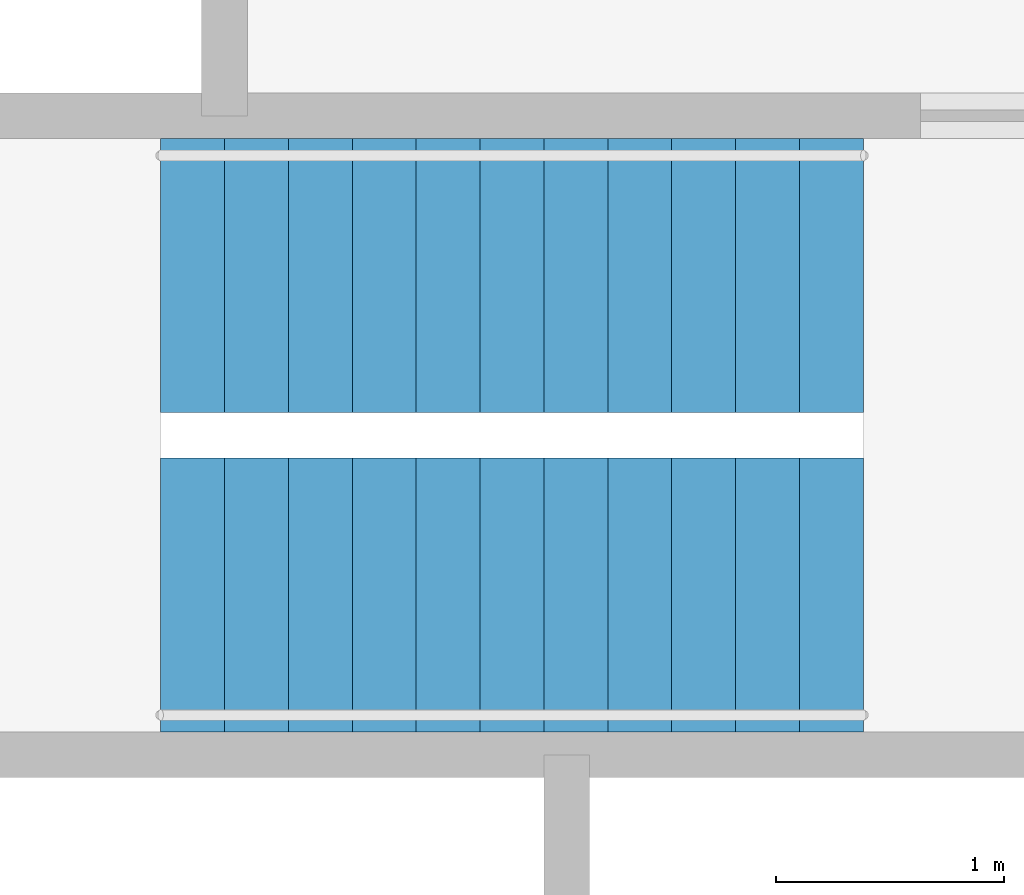
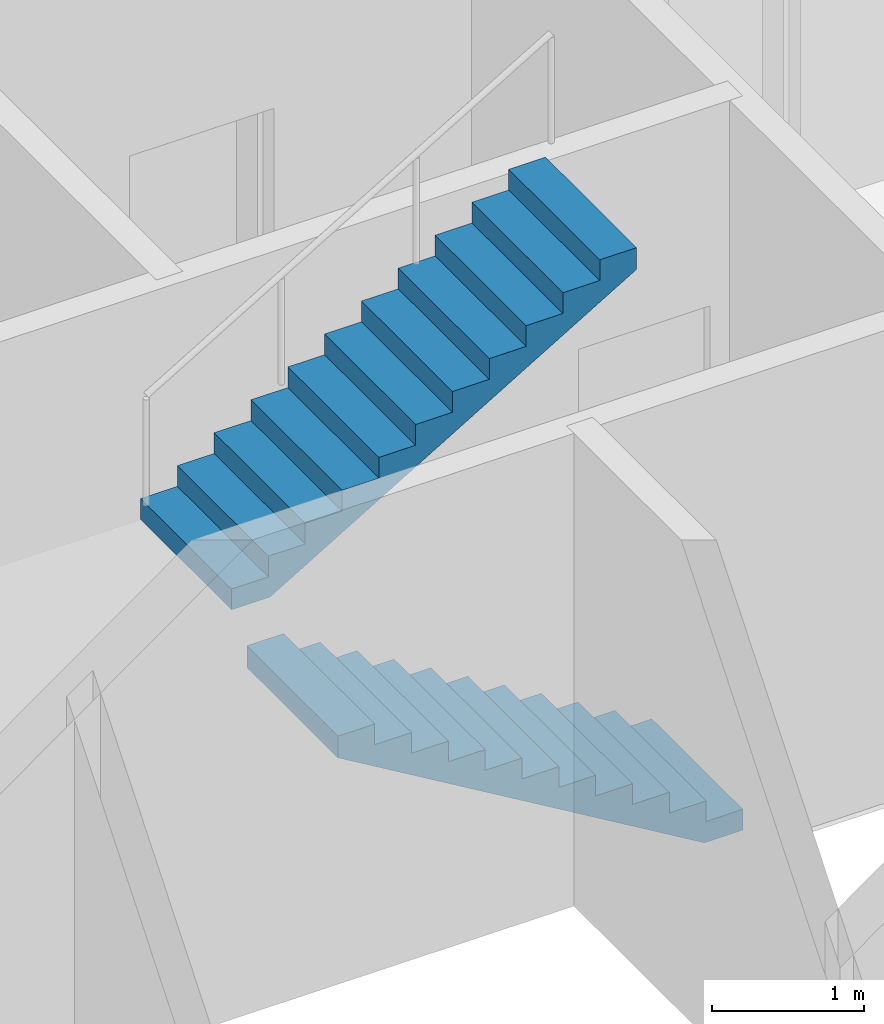
# One storey, part 12 of 14: 2 stair flights, 1 element without a shape of its own.
"""IFC4 building model written with IfcOpenShell, lengths in metres."""

from ifc_helpers import new_model, si_unit, direction, frame, origin, place, context, subcontext, project, spatial, polyline, outline, extrude, material, type_object, element, aggregate, save


model = new_model("IFC4")

# Units and contexts
model_context = context("Model", 3, precision=1e-05, world=origin(), true_north=direction((0.0, 1.0)))
body_context = subcontext(model_context, "Body", "Model", "MODEL_VIEW")
ifc_project = project(units=[si_unit("LENGTHUNIT", "METRE"), si_unit("AREAUNIT", "SQUARE_METRE"), si_unit("VOLUMEUNIT", "CUBIC_METRE"), si_unit("PLANEANGLEUNIT", "RADIAN"), si_unit("MASSUNIT", "GRAM", prefix="KILO")], contexts=[model_context])

# Site, building, storey
site_placement = place(None, origin())
site = spatial("IfcSite", under=ifc_project, at=site_placement, CompositionType="ELEMENT")
building_placement = place(site_placement, origin())
building = spatial("IfcBuilding", under=site, at=building_placement, Name="Fenwick Lantern Interchange", CompositionType="ELEMENT")
storey_placement = place(building_placement, frame((0.0, 0.0, 134.39990234375)))
storey = spatial("IfcBuildingStorey", under=building, at=storey_placement, Name="L31", CompositionType="ELEMENT", Elevation=134.39990234375)

# Stair, stair flights
ifc_material = material(Name="Precast concrete f'c 35 MPa", Category="concrete")
stair_type = type_object("IfcStairType", Name="EXIT STAIR 1200", PredefinedType="HALF_TURN_STAIR", material=ifc_material)
stair_placement = place(storey_placement, origin())
stair = element("IfcStair", 1, at=stair_placement, inside=storey, type_object=stair_type, Name="Exit stair ST2", PredefinedType="HALF_TURN_STAIR")
stair_flight_type = type_object("IfcStairFlightType", Name="STAIR FLIGHT 1200", PredefinedType="STRAIGHT", material=ifc_material)
stair_flight_1_placement = place(storey_placement, frame((28.199951171875, 30.699951171875, 0.0), z_axis=(0.0, 0.0, 1.0), x_axis=(-1.0, 0.0, 0.0)))
stair_flight_1 = element("IfcStairFlight", 2, at=stair_flight_1_placement, type_object=stair_flight_type, Name="ST2 flight 1", NumberOfRisers=12, NumberOfTreads=11, PredefinedType="STRAIGHT", RiserHeight=0.166666667, TreadLength=0.28, context=body_context, shape_type="SweptSolid", body=[
    extrude(outline(polyline([(0.0, 0.0), (0.0, 0.166748046875), (0.280029296875, 0.166748046875), (0.280029296875, 0.333251953125), (0.56005859375, 0.333251953125), (0.56005859375, 0.5), (0.840087890625, 0.5), (0.840087890625, 0.666748046875), (1.1201171875, 0.666748046875), (1.1201171875, 0.833251953125), (1.39990234375, 0.833251953125), (1.39990234375, 1.0), (1.679931640625, 1.0), (1.679931640625, 1.166748046875), (1.9599609375, 1.166748046875), (1.9599609375, 1.333251953125), (2.239990234375, 1.333251953125), (2.239990234375, 1.5), (2.52001953125, 1.5), (2.52001953125, 1.666748046875), (2.800048828125, 1.666748046875), (2.800048828125, 1.833251953125), (3.080078125, 1.833251953125), (3.080078125, 2.0), (3.080078125, 1.658935546875), (0.29296875, 0.0), (0.0, 0.0)])), frame((0.0, 0.60009765625, 0.0), z_axis=(0.0, -1.0, 0.0), x_axis=(1.0, 0.0, 0.0)), (0.0, 0.0, 1.0), 1.199951171875),
])
stair_flight_2_placement = place(storey_placement, frame((25.1201171875, 32.10009765625, 2.0), z_axis=(0.0, 0.0, 1.0), x_axis=(1.0, 0.0, 0.0)))
stair_flight_2 = element("IfcStairFlight", 3, at=stair_flight_2_placement, type_object=stair_flight_type, Name="ST2 flight 2", NumberOfRisers=12, NumberOfTreads=11, PredefinedType="STRAIGHT", RiserHeight=0.166666667, TreadLength=0.28, context=body_context, shape_type="SweptSolid", body=[
    extrude(outline(polyline([(0.0, 0.0), (0.0, 0.166748046875), (0.280029296875, 0.166748046875), (0.280029296875, 0.333251953125), (0.56005859375, 0.333251953125), (0.56005859375, 0.5), (0.840087890625, 0.5), (0.840087890625, 0.666748046875), (1.1201171875, 0.666748046875), (1.1201171875, 0.833251953125), (1.39990234375, 0.833251953125), (1.39990234375, 1.0), (1.679931640625, 1.0), (1.679931640625, 1.166748046875), (1.9599609375, 1.166748046875), (1.9599609375, 1.333251953125), (2.239990234375, 1.333251953125), (2.239990234375, 1.5), (2.52001953125, 1.5), (2.52001953125, 1.666748046875), (2.800048828125, 1.666748046875), (2.800048828125, 1.833251953125), (3.080078125, 1.833251953125), (3.080078125, 2.0), (3.080078125, 1.658935546875), (0.29296875, 0.0), (0.0, 0.0)])), frame((0.0, 0.60009765625, 0.0), z_axis=(0.0, -1.0, 0.0), x_axis=(1.0, 0.0, 0.0)), (0.0, 0.0, 1.0), 1.199951171875),
])
aggregate(stair, [stair_flight_1, stair_flight_2])

save(model, "model.ifc")
